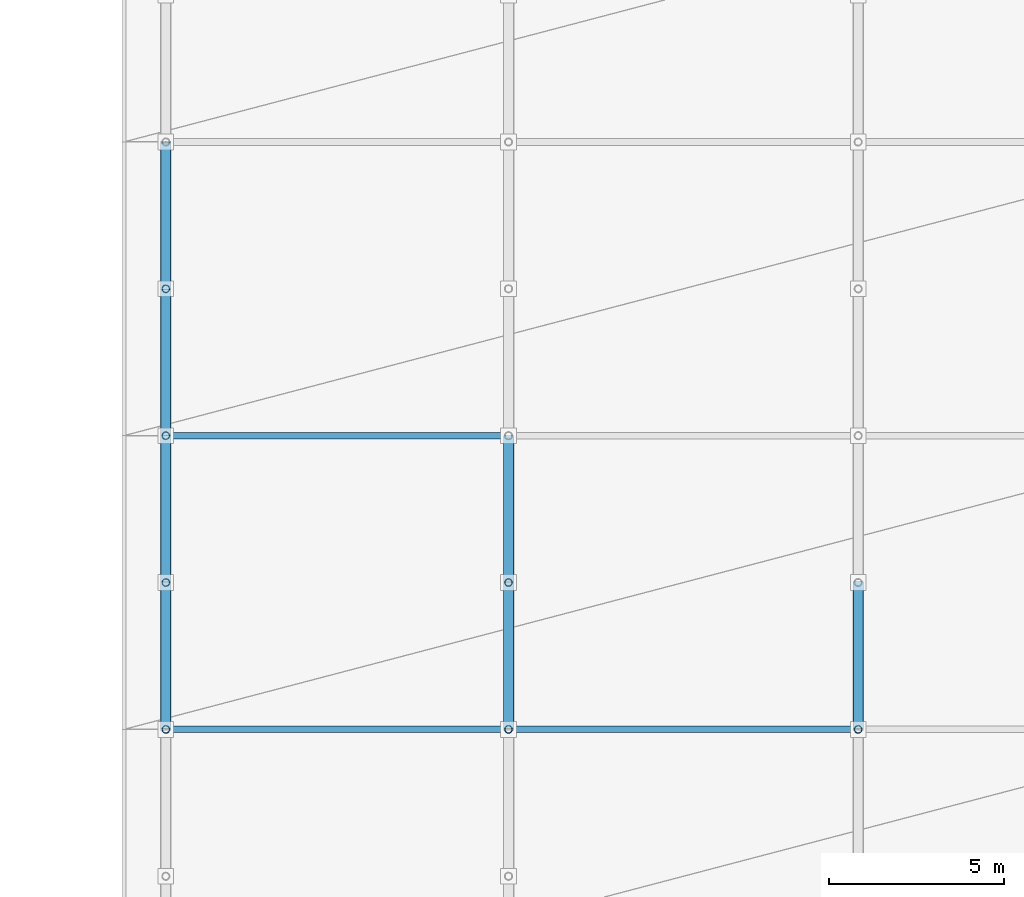
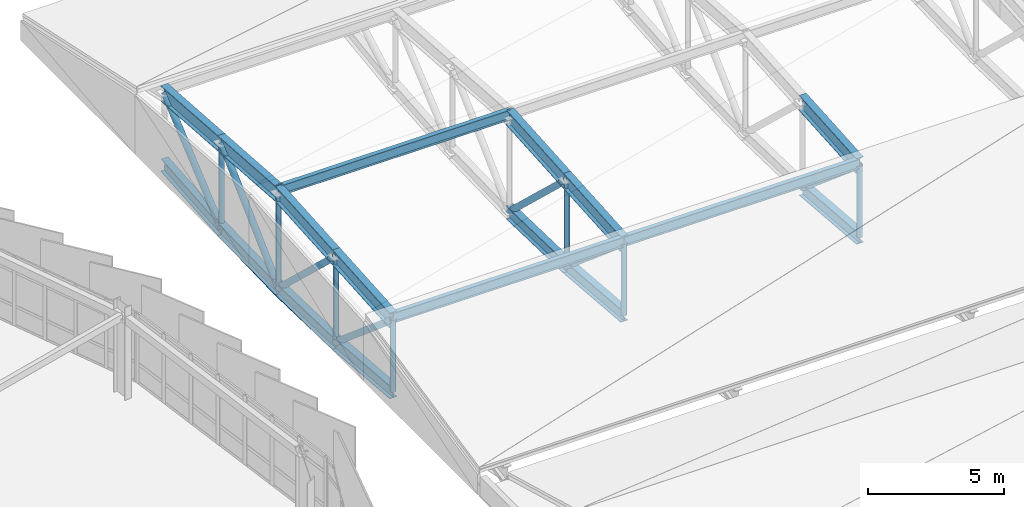
# One storey, part 49 of 87: 17 beams, 14 members.
"""IFC4 building model written with IfcOpenShell, lengths in metres."""

from ifc_helpers import new_model, si_unit, direction, frame, origin, origin_2d, place, context, subcontext, project, spatial, hollow_circle, i_section, extrude, material, material_profile, profile_set, type_object, element, save


model = new_model("IFC4")

# Units and contexts
model_context = context("Model", 3, precision=1e-05, world=origin(), true_north=direction((0.0, 1.0)))
body_context = subcontext(model_context, "Body", "Model", "MODEL_VIEW")
ifc_project = project(units=[si_unit("LENGTHUNIT", "METRE"), si_unit("AREAUNIT", "SQUARE_METRE"), si_unit("VOLUMEUNIT", "CUBIC_METRE"), si_unit("PLANEANGLEUNIT", "RADIAN"), si_unit("MASSUNIT", "GRAM", prefix="KILO")], contexts=[model_context])

# Site, building, storey
site_placement = place(None, origin())
site = spatial("IfcSite", under=ifc_project, at=site_placement, CompositionType="ELEMENT")
building_placement = place(site_placement, origin())
building = spatial("IfcBuilding", under=site, at=building_placement, Name="Sohan Crest Arena", CompositionType="ELEMENT")
storey_placement = place(building_placement, frame((0.0, 0.0, 18.0)))
storey = spatial("IfcBuildingStorey", under=building, at=storey_placement, Name="L04", CompositionType="ELEMENT", Elevation=18.0)

# Beams
ifc_material = material(Name="Steel S355", Category="steel")
ifc_material_profile_1 = material_profile(ifc_material, i_section(OverallWidth=0.18994140625, OverallDepth=0.449951171875, WebThickness=0.009521484375, FlangeThickness=0.0146484375, at=origin_2d()), Name="IPE 450")
ifc_profile_set_1 = profile_set([ifc_material_profile_1], Name="Steel S355")
beam_type_1 = type_object("IfcBeamType", Name="STR-BM-B04", PredefinedType="JOIST", material=ifc_profile_set_1)
beam_1_placement = place(storey_placement, frame((196.199951171875, 85.60009765625, 2.2900390625), z_axis=(1.0, 0.0, 0.0), x_axis=(0.0, 1.0, 0.0)))
element("IfcBeam", 1, at=beam_1_placement, inside=storey, type_object=beam_type_1, Name="Structural beam VP-L04-2490", PredefinedType="JOIST", context=body_context, shape_type="SweptSolid", body=[
    extrude(i_section(OverallWidth=0.18994140625, OverallDepth=0.449951171875, WebThickness=0.009521484375, FlangeThickness=0.0146484375, at=origin_2d()), origin(), (0.0, 0.0, 1.0), 9.800048828125),
])
beam_2_placement = place(storey_placement, frame((206.0, 85.60009765625, 2.2900390625), z_axis=(1.0, 0.0, 0.0), x_axis=(0.0, 1.0, 0.0)))
element("IfcBeam", 2, at=beam_2_placement, inside=storey, type_object=beam_type_1, Name="Structural beam VP-L04-2491", PredefinedType="JOIST", context=body_context, shape_type="SweptSolid", body=[
    extrude(i_section(OverallWidth=0.18994140625, OverallDepth=0.449951171875, WebThickness=0.009521484375, FlangeThickness=0.0146484375, at=origin_2d()), origin(), (0.0, 0.0, 1.0), 10.0),
])
beam_3_placement = place(storey_placement, frame((196.199951171875, 94.0, 2.889892578125), z_axis=(1.0, 0.0, 0.0), x_axis=(0.0, 1.0, 0.0)))
element("IfcBeam", 3, at=beam_3_placement, inside=storey, type_object=beam_type_1, Name="Structural beam VP-L04-2493", PredefinedType="JOIST", context=body_context, shape_type="SweptSolid", body=[
    extrude(i_section(OverallWidth=0.18994140625, OverallDepth=0.449951171875, WebThickness=0.009521484375, FlangeThickness=0.0146484375, at=origin_2d()), origin(), (0.0, 0.0, 1.0), 9.800048828125),
])
ifc_material_profile_2 = material_profile(ifc_material, i_section(OverallWidth=0.300048828125, OverallDepth=0.590087890625, WebThickness=0.012939453125, FlangeThickness=0.02490234375, at=origin_2d()), Name="HEA 600")
ifc_profile_set_2 = profile_set([ifc_material_profile_2], Name="Steel S355")
beam_type_2 = type_object("IfcBeamType", Name="STR-BM-B11", PredefinedType="BEAM", material=ifc_profile_set_2)
beam_4_placement = place(storey_placement, frame((196.199951171875, 85.60009765625, -1.037109375), z_axis=(0.0, 0.996605824568, -0.082321506523), x_axis=(-1.0, 0.0, 0.0)))
element("IfcBeam", 4, at=beam_4_placement, inside=storey, type_object=beam_type_2, Name="Structural beam VAB-L04-2431", PredefinedType="BEAM", context=body_context, shape_type="SweptSolid", body=[
    extrude(i_section(OverallWidth=0.300048828125, OverallDepth=0.590087890625, WebThickness=0.012939453125, FlangeThickness=0.02490234375, at=origin_2d()), origin(), (0.0, 0.0, 1.0), 4.21435546875),
])
for number, where, z_axis, x_axis, name in (
    (5, (196.199951171875, 89.800048828125, -1.384033203125), (0.0, 0.99961902138, -0.02760094374), (-1.0, 0.0, 0.0), "Structural beam VAB-L04-2433"),
    (6, (196.199951171875, 94.0, -1.5), (0.0, 0.99961902138, 0.02760094374), (-1.0, 0.0, 0.0), "Structural beam VAB-L04-2435"),
):
    element("IfcBeam", number, at=place(storey_placement, frame(where, z_axis=z_axis, x_axis=x_axis)), inside=storey, type_object=beam_type_2, Name=name, PredefinedType="BEAM", context=body_context, shape_type="SweptSolid", body=[
        extrude(i_section(OverallWidth=0.300048828125, OverallDepth=0.590087890625, WebThickness=0.012939453125, FlangeThickness=0.02490234375, at=origin_2d()), origin(), (0.0, 0.0, 1.0), 4.20166015625),
    ])
for number, where, z_axis, x_axis, name in (
    (7, (196.199951171875, 98.199951171875, -1.384033203125), (0.0, 0.996605824568, 0.082321506523), (-1.0, 0.0, 0.0), "Structural beam VAB-L04-2437"),
    (8, (206.0, 85.60009765625, -1.037109375), (0.0, 0.996605824568, -0.082321506523), (-1.0, 0.0, 0.0), "Structural beam VAB-L04-2447"),
):
    element("IfcBeam", number, at=place(storey_placement, frame(where, z_axis=z_axis, x_axis=x_axis)), inside=storey, type_object=beam_type_2, Name=name, PredefinedType="BEAM", context=body_context, shape_type="SweptSolid", body=[
        extrude(i_section(OverallWidth=0.300048828125, OverallDepth=0.590087890625, WebThickness=0.012939453125, FlangeThickness=0.02490234375, at=origin_2d()), origin(), (0.0, 0.0, 1.0), 4.21435546875),
    ])
beam_5_placement = place(storey_placement, frame((206.0, 89.800048828125, -1.384033203125), z_axis=(0.0, 0.99961902138, -0.02760094374), x_axis=(-1.0, 0.0, 0.0)))
element("IfcBeam", 9, at=beam_5_placement, inside=storey, type_object=beam_type_2, Name="Structural beam VAB-L04-2449", PredefinedType="BEAM", context=body_context, shape_type="SweptSolid", body=[
    extrude(i_section(OverallWidth=0.300048828125, OverallDepth=0.590087890625, WebThickness=0.012939453125, FlangeThickness=0.02490234375, at=origin_2d()), origin(), (0.0, 0.0, 1.0), 4.20166015625),
])
beam_6_placement = place(storey_placement, frame((216.0, 85.60009765625, -1.037109375), z_axis=(0.0, 0.996605824568, -0.082321506523), x_axis=(-1.0, 0.0, 0.0)))
element("IfcBeam", 10, at=beam_6_placement, inside=storey, type_object=beam_type_2, Name="Structural beam VAB-L04-2463", PredefinedType="BEAM", context=body_context, shape_type="SweptSolid", body=[
    extrude(i_section(OverallWidth=0.300048828125, OverallDepth=0.590087890625, WebThickness=0.012939453125, FlangeThickness=0.02490234375, at=origin_2d()), origin(), (0.0, 0.0, 1.0), 4.21435546875),
])
ifc_material_profile_3 = material_profile(ifc_material, i_section(OverallWidth=0.300048828125, OverallDepth=0.699951171875, WebThickness=0.01708984375, FlangeThickness=0.031982421875, at=origin_2d()), Name="HEB 700")
ifc_profile_set_3 = profile_set([ifc_material_profile_3], Name="Steel S355")
beam_type_3 = type_object("IfcBeamType", Name="STR-BM-B16", PredefinedType="BEAM", material=ifc_profile_set_3)
for number, where, z_axis, x_axis, name in (
    (11, (196.199951171875, 85.60009765625, 2.169921875), (0.0, 0.997457816785, 0.071259411546), (-1.0, 0.0, 0.0), "Structural beam VA-L04-2430"),
    (12, (196.199951171875, 89.800048828125, 2.469970703125), (0.0, 0.997457816785, 0.071259411546), (-1.0, 0.0, 0.0), "Structural beam VA-L04-2432"),
    (13, (196.199951171875, 94.0, 2.77001953125), (0.0, 0.997457816785, -0.071259411546), (-1.0, 0.0, 0.0), "Structural beam VA-L04-2434"),
    (14, (196.199951171875, 98.199951171875, 2.469970703125), (0.0, 0.997457816785, -0.071259411546), (-1.0, 0.0, 0.0), "Structural beam VA-L04-2436"),
    (15, (206.0, 85.60009765625, 2.169921875), (0.0, 0.997457816785, 0.071259411546), (-1.0, 0.0, 0.0), "Structural beam VA-L04-2446"),
    (16, (206.0, 89.800048828125, 2.469970703125), (0.0, 0.997457816785, 0.071259411546), (-1.0, 0.0, 0.0), "Structural beam VA-L04-2448"),
    (17, (216.0, 85.60009765625, 2.169921875), (0.0, 0.997457816785, 0.071259411546), (-1.0, 0.0, 0.0), "Structural beam VA-L04-2462"),
):
    element("IfcBeam", number, at=place(storey_placement, frame(where, z_axis=z_axis, x_axis=x_axis)), inside=storey, type_object=beam_type_3, Name=name, PredefinedType="BEAM", context=body_context, shape_type="SweptSolid", body=[
        extrude(i_section(OverallWidth=0.300048828125, OverallDepth=0.699951171875, WebThickness=0.01708984375, FlangeThickness=0.031982421875, at=origin_2d()), origin(), (0.0, 0.0, 1.0), 4.210693359375),
    ])

# Members
ifc_material_profile_4 = material_profile(ifc_material, hollow_circle(Radius=0.109619140625, WallThickness=0.010009765625, at=origin_2d()), Name="CHS 219.1x10")
ifc_profile_set_4 = profile_set([ifc_material_profile_4], Name="Steel S355")
member_type_1 = type_object("IfcMemberType", Name="STR-MEM-BR01", PredefinedType="BRACE", material=ifc_profile_set_4)
member_1_placement = place(storey_placement, frame((196.199951171875, 85.60009765625, -1.037109375), z_axis=(0.0, 0.0, 1.0), x_axis=(1.0, 0.0, 0.0)))
element("IfcMember", 18, at=member_1_placement, inside=storey, type_object=member_type_1, Name="Vault truss web strut VW-004", PredefinedType="BRACE", context=body_context, shape_type="SweptSolid", body=[
    extrude(hollow_circle(Radius=0.109619140625, WallThickness=0.010009765625, at=origin_2d()), origin(), (0.0, 0.0, 1.0), 3.20703125),
])
member_2_placement = place(storey_placement, frame((196.199951171875, 89.800048828125, -1.384033203125), z_axis=(0.0, 0.0, 1.0), x_axis=(1.0, 0.0, 0.0)))
element("IfcMember", 19, at=member_2_placement, inside=storey, type_object=member_type_1, Name="Vault truss web strut VW-006", PredefinedType="BRACE", context=body_context, shape_type="SweptSolid", body=[
    extrude(hollow_circle(Radius=0.109619140625, WallThickness=0.010009765625, at=origin_2d()), origin(), (0.0, 0.0, 1.0), 3.85400390625),
])
member_3_placement = place(storey_placement, frame((196.199951171875, 94.0, -1.5), z_axis=(0.0, 0.0, 1.0), x_axis=(1.0, 0.0, 0.0)))
element("IfcMember", 20, at=member_3_placement, inside=storey, type_object=member_type_1, Name="Vault truss web strut VW-008", PredefinedType="BRACE", context=body_context, shape_type="SweptSolid", body=[
    extrude(hollow_circle(Radius=0.109619140625, WallThickness=0.010009765625, at=origin_2d()), origin(), (0.0, 0.0, 1.0), 4.27001953125),
])
member_4_placement = place(storey_placement, frame((196.199951171875, 98.199951171875, -1.384033203125), z_axis=(0.0, 0.0, 1.0), x_axis=(1.0, 0.0, 0.0)))
element("IfcMember", 21, at=member_4_placement, inside=storey, type_object=member_type_1, Name="Vault truss web strut VW-010", PredefinedType="BRACE", context=body_context, shape_type="SweptSolid", body=[
    extrude(hollow_circle(Radius=0.109619140625, WallThickness=0.010009765625, at=origin_2d()), origin(), (0.0, 0.0, 1.0), 3.85400390625),
])
member_5_placement = place(storey_placement, frame((206.0, 85.60009765625, -1.037109375), z_axis=(0.0, 0.0, 1.0), x_axis=(1.0, 0.0, 0.0)))
element("IfcMember", 22, at=member_5_placement, inside=storey, type_object=member_type_1, Name="Vault truss web strut VW-019", PredefinedType="BRACE", context=body_context, shape_type="SweptSolid", body=[
    extrude(hollow_circle(Radius=0.109619140625, WallThickness=0.010009765625, at=origin_2d()), origin(), (0.0, 0.0, 1.0), 3.20703125),
])
member_6_placement = place(storey_placement, frame((206.0, 89.800048828125, -1.384033203125), z_axis=(0.0, 0.0, 1.0), x_axis=(1.0, 0.0, 0.0)))
element("IfcMember", 23, at=member_6_placement, inside=storey, type_object=member_type_1, Name="Vault truss web strut VW-021", PredefinedType="BRACE", context=body_context, shape_type="SweptSolid", body=[
    extrude(hollow_circle(Radius=0.109619140625, WallThickness=0.010009765625, at=origin_2d()), origin(), (0.0, 0.0, 1.0), 3.85400390625),
])
member_7_placement = place(storey_placement, frame((216.0, 85.60009765625, -1.037109375), z_axis=(0.0, 0.0, 1.0), x_axis=(1.0, 0.0, 0.0)))
element("IfcMember", 24, at=member_7_placement, inside=storey, type_object=member_type_1, Name="Vault truss web strut VW-034", PredefinedType="BRACE", context=body_context, shape_type="SweptSolid", body=[
    extrude(hollow_circle(Radius=0.109619140625, WallThickness=0.010009765625, at=origin_2d()), origin(), (0.0, 0.0, 1.0), 3.20703125),
])
ifc_material_profile_5 = material_profile(ifc_material, hollow_circle(Radius=0.136474609375, WallThickness=0.012451171875, at=origin_2d()), Name="CHS 273x12.5")
ifc_profile_set_5 = profile_set([ifc_material_profile_5], Name="Steel S355")
member_type_2 = type_object("IfcMemberType", Name="STR-MEM-BR02", PredefinedType="BRACE", material=ifc_profile_set_5)
member_8_placement = place(storey_placement, frame((196.199951171875, 89.800048828125, -1.384033203125), z_axis=(0.0, -0.763372819868, 0.645958154904), x_axis=(1.0, 0.0, 0.0)))
element("IfcMember", 25, at=member_8_placement, inside=storey, type_object=member_type_2, Name="Vault truss diagonal VDG-005", PredefinedType="BRACE", context=body_context, shape_type="SweptSolid", body=[
    extrude(hollow_circle(Radius=0.136474609375, WallThickness=0.012451171875, at=origin_2d()), origin(), (0.0, 0.0, 1.0), 5.501953125),
])
for number, where, z_axis, x_axis, name in (
    (26, (196.199951171875, 94.0, -1.5), (0.0, -0.726723719959, 0.686929861667), (1.0, 0.0, 0.0), "Vault truss diagonal VDG-007"),
    (27, (196.199951171875, 94.0, -1.5), (0.0, 0.726723719959, 0.686929861667), (-1.0, 0.0, 0.0), "Vault truss diagonal VDG-009"),
):
    element("IfcMember", number, at=place(storey_placement, frame(where, z_axis=z_axis, x_axis=x_axis)), inside=storey, type_object=member_type_2, Name=name, PredefinedType="BRACE", context=body_context, shape_type="SweptSolid", body=[
        extrude(hollow_circle(Radius=0.136474609375, WallThickness=0.012451171875, at=origin_2d()), origin(), (0.0, 0.0, 1.0), 5.779296875),
    ])
for number, where, z_axis, x_axis, name in (
    (28, (196.199951171875, 98.199951171875, -1.384033203125), (0.0, 0.763372819868, 0.645958154904), (-1.0, 0.0, 0.0), "Vault truss diagonal VDG-011"),
    (29, (206.0, 89.800048828125, -1.384033203125), (0.0, -0.763372819868, 0.645958154904), (1.0, 0.0, 0.0), "Vault truss diagonal VDG-020"),
):
    element("IfcMember", number, at=place(storey_placement, frame(where, z_axis=z_axis, x_axis=x_axis)), inside=storey, type_object=member_type_2, Name=name, PredefinedType="BRACE", context=body_context, shape_type="SweptSolid", body=[
        extrude(hollow_circle(Radius=0.136474609375, WallThickness=0.012451171875, at=origin_2d()), origin(), (0.0, 0.0, 1.0), 5.501953125),
    ])
member_9_placement = place(storey_placement, frame((206.0, 94.0, -1.5), z_axis=(0.0, -0.726723719959, 0.686929861667), x_axis=(1.0, 0.0, 0.0)))
element("IfcMember", 30, at=member_9_placement, inside=storey, type_object=member_type_2, Name="Vault truss diagonal VDG-022", PredefinedType="BRACE", context=body_context, shape_type="SweptSolid", body=[
    extrude(hollow_circle(Radius=0.136474609375, WallThickness=0.012451171875, at=origin_2d()), origin(), (0.0, 0.0, 1.0), 5.779296875),
])
member_10_placement = place(storey_placement, frame((216.0, 89.800048828125, -1.384033203125), z_axis=(0.0, -0.763372819868, 0.645958154904), x_axis=(1.0, 0.0, 0.0)))
element("IfcMember", 31, at=member_10_placement, inside=storey, type_object=member_type_2, Name="Vault truss diagonal VDG-035", PredefinedType="BRACE", context=body_context, shape_type="SweptSolid", body=[
    extrude(hollow_circle(Radius=0.136474609375, WallThickness=0.012451171875, at=origin_2d()), origin(), (0.0, 0.0, 1.0), 5.501953125),
])

save(model, "model.ifc")
